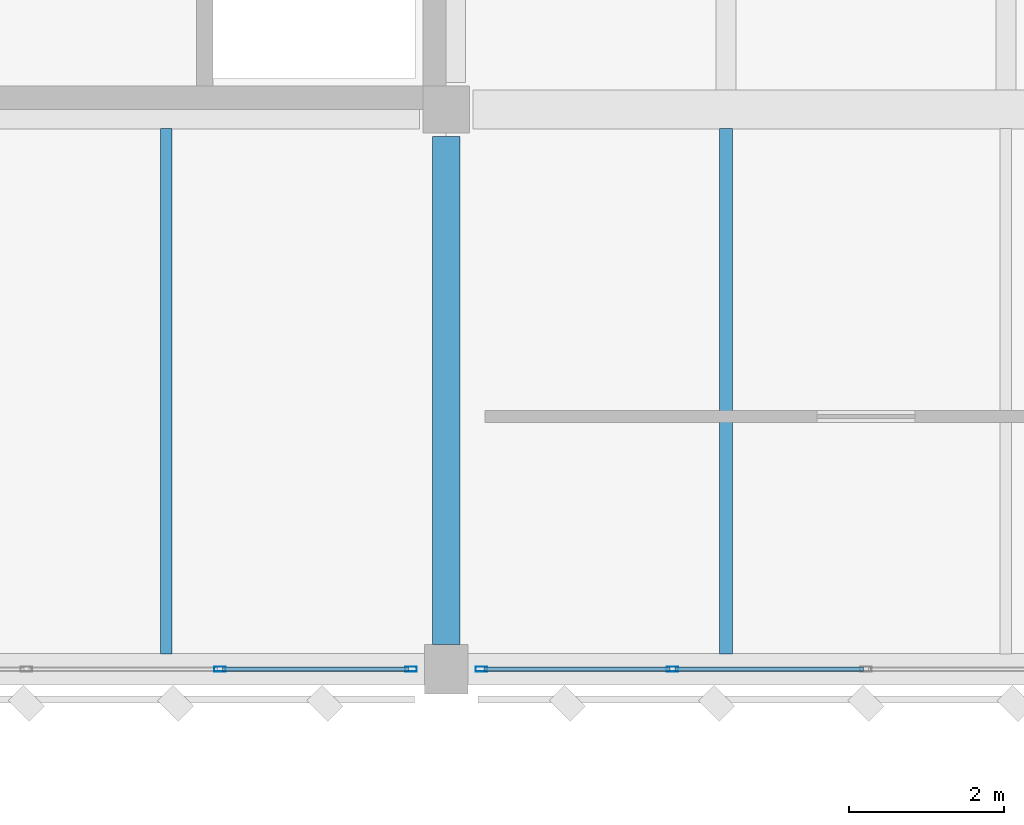
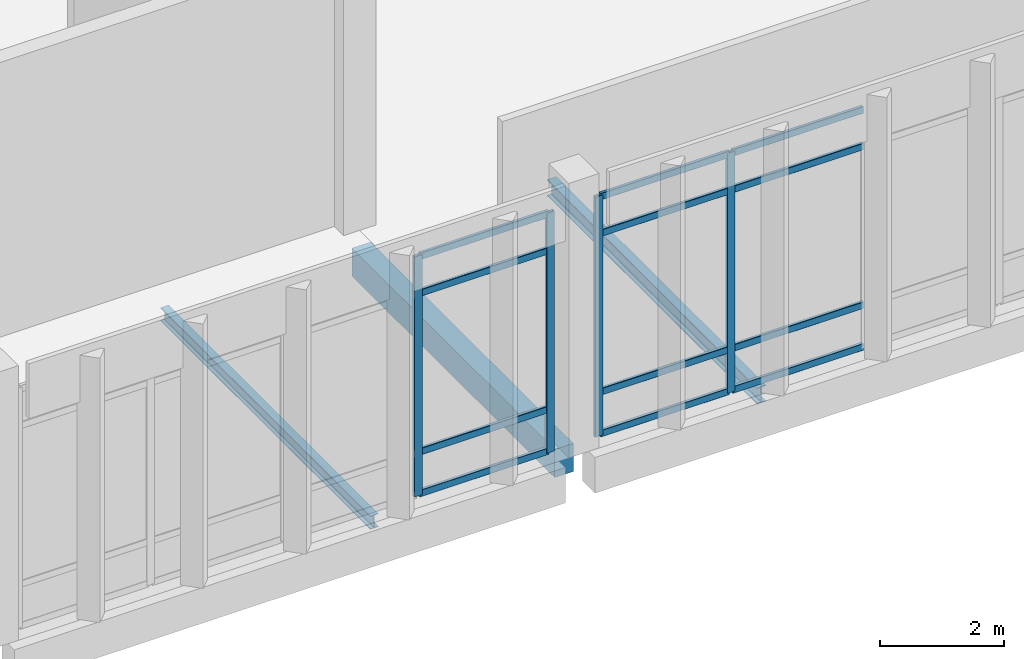
# One storey, part 80 of 180: 16 members, 3 beams, 2 elements without a shape of their own.
"""IFC4 building model written with IfcOpenShell, lengths in metres."""

import ifcopenshell
import ifcopenshell.guid

model = None  # the IFC model being written
_history = None  # IfcOwnerHistory: only IFC2X3 demands one
_inside = {}  # id of a spatial element -> (the spatial element, [elements in it])
_under = {}  # id of a project, library or spatial element -> (it, [spatial elements below it])
_declared = {}  # id of a project -> (the project, [libraries it declares])
_typed = {}  # id of a type object -> (the type object, [elements of that type])
_made_of = {}  # id of a material, layer set ... -> (it, [elements and type objects made of it])


def new_model(schema):
    """Start an empty IFC model of exactly this schema.

    Asked for "IFC4X3", IfcOpenShell would pick the latest addendum, in which some entities
    have other attributes; the version numbers below select the first issue.
    IFC2X3 requires an IfcOwnerHistory on every rooted entity: one is made here for all.
    """
    global model, _history
    if schema == "IFC4X3":
        model = ifcopenshell.file(schema_version=(4, 3, 0, 0))
    else:
        model = ifcopenshell.file(schema=schema)
    _inside.clear()
    _under.clear()
    _declared.clear()
    _typed.clear()
    _made_of.clear()
    _history = None
    if model.schema == "IFC2X3":
        org = make("IfcOrganization", Name="unknown")
        user = make(
            "IfcPersonAndOrganization",
            ThePerson=make("IfcPerson", FamilyName="unknown"),
            TheOrganization=org,
        )
        app = make(
            "IfcApplication",
            ApplicationDeveloper=org,
            Version="unknown",
            ApplicationFullName="unknown",
            ApplicationIdentifier="unknown",
        )
        _history = make(
            "IfcOwnerHistory",
            OwningUser=user,
            OwningApplication=app,
            ChangeAction="ADDED",
            CreationDate=0,
        )
    return model


def make(cls, **values):
    """One entity of the class cls with the attributes given. An attribute that is None is left unset."""
    return model.create_entity(
        cls, **{name: value for name, value in values.items() if value is not None}
    )


def rooted(cls, **values):
    """An entity with a GlobalId (a new one), such as an element, a storey or a relation."""
    return make(cls, GlobalId=ifcopenshell.guid.new(), OwnerHistory=_history, **values)


def si_unit(unit_type, name, prefix=None):
    """IfcSIUnit, for example si_unit("LENGTHUNIT", "METRE", prefix="MILLI")."""
    return make("IfcSIUnit", UnitType=unit_type, Prefix=prefix, Name=name)


def assignment(units):
    """IfcUnitAssignment: the units of a project."""
    return None if units is None else make("IfcUnitAssignment", Units=units)


def point(xyz):
    """IfcCartesianPoint."""
    return None if xyz is None else make("IfcCartesianPoint", Coordinates=xyz)


def direction(xyz):
    """IfcDirection."""
    return None if xyz is None else make("IfcDirection", DirectionRatios=xyz)


def frame(location, z_axis=None, x_axis=None):
    """IfcAxis2Placement3D, a coordinate frame: its origin and axes. An axis left out is left unset."""
    return make(
        "IfcAxis2Placement3D",
        Location=point(location),
        Axis=direction(z_axis),
        RefDirection=direction(x_axis),
    )


def frame_2d(location, x_axis=None):
    """IfcAxis2Placement2D, a coordinate frame in the plane: its origin and x axis."""
    return make(
        "IfcAxis2Placement2D", Location=point(location), RefDirection=direction(x_axis)
    )


def origin():
    """The frame at (0, 0, 0) with its axes left unset."""
    return frame((0.0, 0.0, 0.0))


def origin_2d():
    """The frame at (0, 0) in the plane with its x axis left unset."""
    return frame_2d((0.0, 0.0))


def place(relative_to, where):
    """IfcLocalPlacement: puts the frame where relative to a parent placement (None: the world)."""
    return make(
        "IfcLocalPlacement", PlacementRelTo=relative_to, RelativePlacement=where
    )


def context(
    kind, dimensions, precision=None, world=None, true_north=None, identifier=None
):
    """IfcGeometricRepresentationContext, for example the 3D "Model" context."""
    return make(
        "IfcGeometricRepresentationContext",
        ContextIdentifier=identifier,
        ContextType=kind,
        CoordinateSpaceDimension=dimensions,
        Precision=precision,
        WorldCoordinateSystem=world,
        TrueNorth=true_north,
    )


def subcontext(parent, identifier, kind, view, scale=None):
    """IfcGeometricRepresentationSubContext, for example "Body" below "Model"."""
    return make(
        "IfcGeometricRepresentationSubContext",
        ContextIdentifier=identifier,
        ContextType=kind,
        ParentContext=parent,
        TargetScale=scale,
        TargetView=view,
    )


def project(units=None, contexts=None):
    """IfcProject with its units and contexts."""
    return rooted(
        "IfcProject",
        Name="project",
        RepresentationContexts=contexts,
        UnitsInContext=assignment(units),
    )


def spatial(cls, under=None, at=None, **own):
    """A site, building, storey or space (cls), placed at a placement, below another one or the project."""
    s = rooted(cls, ObjectPlacement=at, **own)
    if under is not None:
        _under.setdefault(under.id(), (under, []))[1].append(s)
    return s


def profile(cls, at=None, kind="AREA", **sizes):
    """A parametric profile (cls). Its sizes go by their IFC names, for example OverallWidth=200.0."""
    return make(cls, ProfileType=kind, Position=at, **sizes)


def rectangle(**sizes):
    """IfcRectangleProfileDef."""
    return profile("IfcRectangleProfileDef", **sizes)


def hollow_rectangle(**sizes):
    """IfcRectangleHollowProfileDef."""
    return profile("IfcRectangleHollowProfileDef", **sizes)


def i_section(**sizes):
    """IfcIShapeProfileDef."""
    return profile("IfcIShapeProfileDef", **sizes)


def extrude(swept, where, along, depth):
    """IfcExtrudedAreaSolid: the profile swept, set in the frame where, extruded along a direction by depth."""
    return make(
        "IfcExtrudedAreaSolid",
        SweptArea=swept,
        Position=where,
        ExtrudedDirection=direction(along),
        Depth=depth,
    )


def shape(context_of_items, identifier, shape_type, items):
    """IfcShapeRepresentation: the items that make up one representation, for example the "Body"."""
    return make(
        "IfcShapeRepresentation",
        ContextOfItems=context_of_items,
        RepresentationIdentifier=identifier,
        RepresentationType=shape_type,
        Items=items,
    )


def material(Name=None, Category=None):
    """IfcMaterial."""
    return make("IfcMaterial", Name=Name, Category=Category)


def material_profile(
    of_material, cross_section, Name=None, Category=None, Priority=None
):
    """IfcMaterialProfile: a cross section and its material."""
    return make(
        "IfcMaterialProfile",
        Name=Name,
        Material=of_material,
        Profile=cross_section,
        Priority=Priority,
        Category=Category,
    )


def profile_set(profiles, Name=None, composite=None):
    """IfcMaterialProfileSet."""
    return make(
        "IfcMaterialProfileSet",
        Name=Name,
        MaterialProfiles=profiles,
        CompositeProfile=composite,
    )


def made_of(thing, what):
    """Note that an element or type object is made of a material, layer set ...; save() writes the relation."""
    if what is not None:
        _made_of.setdefault(what.id(), (what, []))[1].append(thing)
    return thing


def type_object(cls, material=None, **own):
    """A type object (cls), such as IfcWallType, which elements share."""
    return made_of(rooted(cls, **own), material)


def element(
    cls,
    number,
    at=None,
    inside=None,
    cuts=None,
    type_object=None,
    material=None,
    context=None,
    identifier="Body",
    shape_type=None,
    held_by="IfcProductDefinitionShape",
    body=None,
    shapes=None,
    **own,
):
    """One element of the class cls, such as IfcWall. Its Tag is "e" and its number.

    at: its placement. inside: the storey or other place that contains it. cuts: it is an
    opening in that element (IfcRelVoidsElement). A single representation is given by context,
    identifier, shape_type and body (its items); several are given by shapes. held_by: the class
    of the entity that holds the representations. save() writes the other relations.
    """
    e = rooted(cls, Tag="e%d" % number, ObjectPlacement=at, **own)
    if body is not None:
        shapes = [shape(context, identifier, shape_type, body)]
    if shapes is not None:
        e.Representation = make(held_by, Representations=shapes)
    if inside is not None:
        _inside.setdefault(inside.id(), (inside, []))[1].append(e)
    if cuts is not None:
        rooted(
            "IfcRelVoidsElement", RelatingBuildingElement=cuts, RelatedOpeningElement=e
        )
    if type_object is not None:
        _typed.setdefault(type_object.id(), (type_object, []))[1].append(e)
    return made_of(e, material)


def aggregate(whole, parts):
    """IfcRelAggregates: a whole, such as a stair, and the parts it consists of."""
    return rooted("IfcRelAggregates", RelatingObject=whole, RelatedObjects=parts)


def save(model, path):
    """Write the relations noted so far, then the file.

    IfcRelAggregates (storeys below a building ...), IfcRelContainedInSpatialStructure (elements
    in a storey), IfcRelDefinesByType, IfcRelAssociatesMaterial and IfcRelDeclares: one each for
    every whole, place, type object, material and project.
    """
    for whole, parts in _under.values():
        aggregate(whole, parts)
    for where, things in _inside.values():
        rooted(
            "IfcRelContainedInSpatialStructure",
            RelatedElements=things,
            RelatingStructure=where,
        )
    for kind, things in _typed.values():
        rooted("IfcRelDefinesByType", RelatedObjects=things, RelatingType=kind)
    for what, things in _made_of.values():
        rooted("IfcRelAssociatesMaterial", RelatedObjects=things, RelatingMaterial=what)
    for by, libraries in _declared.values():
        rooted("IfcRelDeclares", RelatingContext=by, RelatedDefinitions=libraries)
    model.write(path)


model = new_model("IFC4")

# Units and contexts
model_context = context("Model", 3, precision=1e-05, world=origin(), true_north=direction((0.0, 1.0)))
body_context = subcontext(model_context, "Body", "Model", "MODEL_VIEW")
ifc_project = project(units=[si_unit("LENGTHUNIT", "METRE"), si_unit("AREAUNIT", "SQUARE_METRE"), si_unit("VOLUMEUNIT", "CUBIC_METRE"), si_unit("PLANEANGLEUNIT", "RADIAN"), si_unit("MASSUNIT", "GRAM", prefix="KILO")], contexts=[model_context])

# Site, building, storey
site_placement = place(None, origin())
site = spatial("IfcSite", under=ifc_project, at=site_placement, CompositionType="ELEMENT")
building_placement = place(site_placement, origin())
building = spatial("IfcBuilding", under=site, at=building_placement, Name="Lusvemor Sports Hall", CompositionType="ELEMENT")
storey_placement = place(building_placement, frame((0.0, 0.0, 5.39990234375)))
storey = spatial("IfcBuildingStorey", under=building, at=storey_placement, Name="L01", CompositionType="ELEMENT", Elevation=5.39990234375)

# Beam
ifc_material_1 = material(Name="Concrete C40/50", Category="concrete")
ifc_material_profile_1 = material_profile(ifc_material_1, rectangle(XDim=0.35009765625, YDim=0.550048828125, at=origin_2d()), Name="RC350x550")
ifc_profile_set_1 = profile_set([ifc_material_profile_1], Name="Concrete C40/50")
beam_type_1 = type_object("IfcBeamType", Name="BEAM_RC_550", PredefinedType="BEAM", material=ifc_profile_set_1)
beam_1_placement = place(storey_placement, frame((64.800048828125, 97.51611328125, -0.534912109375), z_axis=(0.0, 1.0, 0.0), x_axis=(-1.0, 0.0, 0.0)))
element("IfcBeam", 1, at=beam_1_placement, inside=storey, type_object=beam_type_1, Name="Beam L01 7:N-P", PredefinedType="BEAM", context=body_context, shape_type="SweptSolid", body=[
    extrude(rectangle(XDim=0.35009765625, YDim=0.550048828125, at=origin_2d()), origin(), (0.0, 0.0, 1.0), 6.537841796875),
])

# Curtain wall, members
ifc_material_2 = material(Name="Thermally broken bronze-anodized aluminium", Category="aluminium")
curtain_wall_type = type_object("IfcCurtainWallType", Name="CW_WING_B", PredefinedType="NOTDEFINED", material=ifc_material_2)
curtain_wall_1_placement = place(storey_placement, origin())
curtain_wall_1 = element("IfcCurtainWall", 2, at=curtain_wall_1_placement, inside=storey, type_object=curtain_wall_type, Name="Curtain Wall CW-L01-S-3-3", PredefinedType="NOTDEFINED")
ifc_material_3 = material(Name="Thermally broken bronze-anodized aluminium", Category="aluminium")
ifc_material_profile_2 = material_profile(ifc_material_3, hollow_rectangle(XDim=0.06494140625, YDim=0.14990234375, WallThickness=0.00390625, InnerFilletRadius=0.00390625, OuterFilletRadius=0.008056640625, at=origin_2d()), Name="CWMUL150x65x4")
ifc_profile_set_2 = profile_set([ifc_material_profile_2], Name="Thermally broken bronze-anodized aluminium")
member_type_1 = type_object("IfcMemberType", Name="CW_MUL_B", PredefinedType="MULLION", material=ifc_profile_set_2)
member_1_placement = place(storey_placement, frame((64.347412109375, 97.199951171875, 0.0), z_axis=(0.0, 0.0, 1.0), x_axis=(0.0, -1.0, 0.0)))
member_1 = element("IfcMember", 3, at=member_1_placement, type_object=member_type_1, Name="CW02 mullion 1", PredefinedType="MULLION", context=body_context, shape_type="SweptSolid", body=[
    extrude(hollow_rectangle(XDim=0.06494140625, YDim=0.14990234375, WallThickness=0.00390625, InnerFilletRadius=0.00390625, OuterFilletRadius=0.008056640625, at=origin_2d()), origin(), (0.0, 0.0, 1.0), 4.72021484375),
])
member_2_placement = place(storey_placement, frame((61.889892578125, 97.199951171875, 0.0), z_axis=(0.0, 0.0, 1.0), x_axis=(0.0, -1.0, 0.0)))
member_2 = element("IfcMember", 4, at=member_2_placement, type_object=member_type_1, Name="CW02 mullion 2", PredefinedType="MULLION", context=body_context, shape_type="SweptSolid", body=[
    extrude(hollow_rectangle(XDim=0.06494140625, YDim=0.14990234375, WallThickness=0.00390625, InnerFilletRadius=0.00390625, OuterFilletRadius=0.008056640625, at=origin_2d()), origin(), (0.0, 0.0, 1.0), 4.72021484375),
])

curtain_wall_2_placement = place(storey_placement, origin())
curtain_wall_2 = element("IfcCurtainWall", 5, at=curtain_wall_2_placement, inside=storey, type_object=curtain_wall_type, Name="Curtain Wall CW-L01-S-3-4", PredefinedType="NOTDEFINED")
member_3_placement = place(storey_placement, frame((67.7099609375, 97.199951171875, 0.0), z_axis=(0.0, 0.0, 1.0), x_axis=(0.0, -1.0, 0.0)))
member_3 = element("IfcMember", 6, at=member_3_placement, type_object=member_type_1, Name="CW02 mullion 4", PredefinedType="MULLION", context=body_context, shape_type="SweptSolid", body=[
    extrude(hollow_rectangle(XDim=0.06494140625, YDim=0.14990234375, WallThickness=0.00390625, InnerFilletRadius=0.00390625, OuterFilletRadius=0.008056640625, at=origin_2d()), origin(), (0.0, 0.0, 1.0), 4.72021484375),
])
member_4_placement = place(storey_placement, frame((65.25244140625, 97.199951171875, 0.0), z_axis=(0.0, 0.0, 1.0), x_axis=(0.0, -1.0, 0.0)))
member_4 = element("IfcMember", 7, at=member_4_placement, type_object=member_type_1, Name="CW02 mullion 5", PredefinedType="MULLION", context=body_context, shape_type="SweptSolid", body=[
    extrude(hollow_rectangle(XDim=0.06494140625, YDim=0.14990234375, WallThickness=0.00390625, InnerFilletRadius=0.00390625, OuterFilletRadius=0.008056640625, at=origin_2d()), origin(), (0.0, 0.0, 1.0), 4.72021484375),
])

# Member
ifc_material_4 = material(Name="Thermally broken bronze-anodized aluminium", Category="aluminium")
ifc_material_profile_3 = material_profile(ifc_material_4, hollow_rectangle(XDim=0.06005859375, YDim=0.135009765625, WallThickness=0.00390625, InnerFilletRadius=0.00390625, OuterFilletRadius=0.008056640625, at=origin_2d()), Name="CWTRN135x60x4")
ifc_profile_set_3 = profile_set([ifc_material_profile_3], Name="Thermally broken bronze-anodized aluminium")
member_type_2 = type_object("IfcMemberType", Name="CW_TRN_B", PredefinedType="USERDEFINED", material=ifc_profile_set_3)
member_5_placement = place(storey_placement, frame((64.31494140625, 97.199951171875, 0.030029296875), z_axis=(-1.0, 0.0, 0.0), x_axis=(0.0, -1.0, 0.0)))
member_5 = element("IfcMember", 8, at=member_5_placement, type_object=member_type_2, Name="CW02 transom 1.1", ObjectType="TRANSOM", PredefinedType="USERDEFINED", context=body_context, shape_type="SweptSolid", body=[
    extrude(hollow_rectangle(XDim=0.06005859375, YDim=0.135009765625, WallThickness=0.00390625, InnerFilletRadius=0.00390625, OuterFilletRadius=0.008056640625, at=origin_2d()), origin(), (0.0, 0.0, 1.0), 2.392333984375),
])

member_6_placement = place(storey_placement, frame((64.31494140625, 97.199951171875, 0.85009765625), z_axis=(-1.0, 0.0, 0.0), x_axis=(0.0, -1.0, 0.0)))
member_6 = element("IfcMember", 9, at=member_6_placement, type_object=member_type_2, Name="CW02 transom 1.2", ObjectType="TRANSOM", PredefinedType="USERDEFINED", context=body_context, shape_type="SweptSolid", body=[
    extrude(hollow_rectangle(XDim=0.06005859375, YDim=0.135009765625, WallThickness=0.00390625, InnerFilletRadius=0.00390625, OuterFilletRadius=0.008056640625, at=origin_2d()), origin(), (0.0, 0.0, 1.0), 2.392333984375),
])

member_7_placement = place(storey_placement, frame((64.31494140625, 97.199951171875, 3.97021484375), z_axis=(-1.0, 0.0, 0.0), x_axis=(0.0, -1.0, 0.0)))
member_7 = element("IfcMember", 10, at=member_7_placement, type_object=member_type_2, Name="CW02 transom 1.3", ObjectType="TRANSOM", PredefinedType="USERDEFINED", context=body_context, shape_type="SweptSolid", body=[
    extrude(hollow_rectangle(XDim=0.06005859375, YDim=0.135009765625, WallThickness=0.00390625, InnerFilletRadius=0.00390625, OuterFilletRadius=0.008056640625, at=origin_2d()), origin(), (0.0, 0.0, 1.0), 2.392333984375),
])

member_8_placement = place(storey_placement, frame((64.31494140625, 97.199951171875, 4.690185546875), z_axis=(-1.0, 0.0, 0.0), x_axis=(0.0, -1.0, 0.0)))
member_8 = element("IfcMember", 11, at=member_8_placement, type_object=member_type_2, Name="CW02 transom 1.4", ObjectType="TRANSOM", PredefinedType="USERDEFINED", context=body_context, shape_type="SweptSolid", body=[
    extrude(hollow_rectangle(XDim=0.06005859375, YDim=0.135009765625, WallThickness=0.00390625, InnerFilletRadius=0.00390625, OuterFilletRadius=0.008056640625, at=origin_2d()), origin(), (0.0, 0.0, 1.0), 2.392333984375),
])

aggregate(curtain_wall_1, [member_1, member_2, member_5, member_6, member_7, member_8])

member_9_placement = place(storey_placement, frame((70.16748046875, 97.199951171875, 0.030029296875), z_axis=(-1.0, 0.0, 0.0), x_axis=(0.0, -1.0, 0.0)))
member_9 = element("IfcMember", 12, at=member_9_placement, type_object=member_type_2, Name="CW02 transom 3.1", ObjectType="TRANSOM", PredefinedType="USERDEFINED", context=body_context, shape_type="SweptSolid", body=[
    extrude(hollow_rectangle(XDim=0.06005859375, YDim=0.135009765625, WallThickness=0.00390625, InnerFilletRadius=0.00390625, OuterFilletRadius=0.008056640625, at=origin_2d()), origin(), (0.0, 0.0, 1.0), 2.425048828125),
])

member_10_placement = place(storey_placement, frame((70.16748046875, 97.199951171875, 0.85009765625), z_axis=(-1.0, 0.0, 0.0), x_axis=(0.0, -1.0, 0.0)))
member_10 = element("IfcMember", 13, at=member_10_placement, type_object=member_type_2, Name="CW02 transom 3.2", ObjectType="TRANSOM", PredefinedType="USERDEFINED", context=body_context, shape_type="SweptSolid", body=[
    extrude(hollow_rectangle(XDim=0.06005859375, YDim=0.135009765625, WallThickness=0.00390625, InnerFilletRadius=0.00390625, OuterFilletRadius=0.008056640625, at=origin_2d()), origin(), (0.0, 0.0, 1.0), 2.425048828125),
])

member_11_placement = place(storey_placement, frame((70.16748046875, 97.199951171875, 3.97021484375), z_axis=(-1.0, 0.0, 0.0), x_axis=(0.0, -1.0, 0.0)))
member_11 = element("IfcMember", 14, at=member_11_placement, type_object=member_type_2, Name="CW02 transom 3.3", ObjectType="TRANSOM", PredefinedType="USERDEFINED", context=body_context, shape_type="SweptSolid", body=[
    extrude(hollow_rectangle(XDim=0.06005859375, YDim=0.135009765625, WallThickness=0.00390625, InnerFilletRadius=0.00390625, OuterFilletRadius=0.008056640625, at=origin_2d()), origin(), (0.0, 0.0, 1.0), 2.425048828125),
])

member_12_placement = place(storey_placement, frame((70.16748046875, 97.199951171875, 4.690185546875), z_axis=(-1.0, 0.0, 0.0), x_axis=(0.0, -1.0, 0.0)))
member_12 = element("IfcMember", 15, at=member_12_placement, type_object=member_type_2, Name="CW02 transom 3.4", ObjectType="TRANSOM", PredefinedType="USERDEFINED", context=body_context, shape_type="SweptSolid", body=[
    extrude(hollow_rectangle(XDim=0.06005859375, YDim=0.135009765625, WallThickness=0.00390625, InnerFilletRadius=0.00390625, OuterFilletRadius=0.008056640625, at=origin_2d()), origin(), (0.0, 0.0, 1.0), 2.425048828125),
])

member_13_placement = place(storey_placement, frame((67.677490234375, 97.199951171875, 0.030029296875), z_axis=(-1.0, 0.0, 0.0), x_axis=(0.0, -1.0, 0.0)))
member_13 = element("IfcMember", 16, at=member_13_placement, type_object=member_type_2, Name="CW02 transom 4.1", ObjectType="TRANSOM", PredefinedType="USERDEFINED", context=body_context, shape_type="SweptSolid", body=[
    extrude(hollow_rectangle(XDim=0.06005859375, YDim=0.135009765625, WallThickness=0.00390625, InnerFilletRadius=0.00390625, OuterFilletRadius=0.008056640625, at=origin_2d()), origin(), (0.0, 0.0, 1.0), 2.392578125),
])

member_14_placement = place(storey_placement, frame((67.677490234375, 97.199951171875, 0.85009765625), z_axis=(-1.0, 0.0, 0.0), x_axis=(0.0, -1.0, 0.0)))
member_14 = element("IfcMember", 17, at=member_14_placement, type_object=member_type_2, Name="CW02 transom 4.2", ObjectType="TRANSOM", PredefinedType="USERDEFINED", context=body_context, shape_type="SweptSolid", body=[
    extrude(hollow_rectangle(XDim=0.06005859375, YDim=0.135009765625, WallThickness=0.00390625, InnerFilletRadius=0.00390625, OuterFilletRadius=0.008056640625, at=origin_2d()), origin(), (0.0, 0.0, 1.0), 2.392578125),
])

member_15_placement = place(storey_placement, frame((67.677490234375, 97.199951171875, 3.97021484375), z_axis=(-1.0, 0.0, 0.0), x_axis=(0.0, -1.0, 0.0)))
member_15 = element("IfcMember", 18, at=member_15_placement, type_object=member_type_2, Name="CW02 transom 4.3", ObjectType="TRANSOM", PredefinedType="USERDEFINED", context=body_context, shape_type="SweptSolid", body=[
    extrude(hollow_rectangle(XDim=0.06005859375, YDim=0.135009765625, WallThickness=0.00390625, InnerFilletRadius=0.00390625, OuterFilletRadius=0.008056640625, at=origin_2d()), origin(), (0.0, 0.0, 1.0), 2.392578125),
])

member_16_placement = place(storey_placement, frame((67.677490234375, 97.199951171875, 4.690185546875), z_axis=(-1.0, 0.0, 0.0), x_axis=(0.0, -1.0, 0.0)))
member_16 = element("IfcMember", 19, at=member_16_placement, type_object=member_type_2, Name="CW02 transom 4.4", ObjectType="TRANSOM", PredefinedType="USERDEFINED", context=body_context, shape_type="SweptSolid", body=[
    extrude(hollow_rectangle(XDim=0.06005859375, YDim=0.135009765625, WallThickness=0.00390625, InnerFilletRadius=0.00390625, OuterFilletRadius=0.008056640625, at=origin_2d()), origin(), (0.0, 0.0, 1.0), 2.392578125),
])

aggregate(curtain_wall_2, [member_3, member_4, member_9, member_10, member_11, member_12, member_13, member_14, member_15, member_16])

# Beams
ifc_material_5 = material(Name="Steel S355", Category="steel")
ifc_material_profile_4 = material_profile(ifc_material_5, i_section(OverallWidth=0.14794921875, OverallDepth=0.26611328125, WebThickness=0.007568359375, FlangeThickness=0.012939453125, FilletRadius=0.012939453125, at=origin_2d()), Name="W250x44.8")
ifc_profile_set_4 = profile_set([ifc_material_profile_4], Name="Steel S355")
beam_type_2 = type_object("IfcBeamType", Name="JOIST_ST_250M", PredefinedType="JOIST", material=ifc_profile_set_4)
beam_2_placement = place(storey_placement, frame((61.199951171875, 97.39599609375, -0.39697265625), z_axis=(0.0, 1.0, 0.0), x_axis=(-1.0, 0.0, 0.0)))
element("IfcBeam", 20, at=beam_2_placement, inside=storey, type_object=beam_type_2, Name="Secondary Joist L01 6-7/N-P #2", PredefinedType="JOIST", context=body_context, shape_type="SweptSolid", body=[
    extrude(i_section(OverallWidth=0.14794921875, OverallDepth=0.26611328125, WebThickness=0.007568359375, FlangeThickness=0.012939453125, FilletRadius=0.012939453125, at=origin_2d()), origin(), (0.0, 0.0, 1.0), 6.758056640625),
])
ifc_material_6 = material(Name="Steel S355", Category="steel")
ifc_material_profile_5 = material_profile(ifc_material_6, i_section(OverallWidth=0.1669921875, OverallDepth=0.31689453125, WebThickness=0.007568359375, FlangeThickness=0.01318359375, FilletRadius=0.014892578125, at=origin_2d()), Name="W310x52.0")
ifc_profile_set_5 = profile_set([ifc_material_profile_5], Name="Steel S355")
beam_type_3 = type_object("IfcBeamType", Name="JOIST_ST_310M", PredefinedType="JOIST", material=ifc_profile_set_5)
beam_3_placement = place(storey_placement, frame((68.39990234375, 97.39599609375, -0.42236328125), z_axis=(0.0, 1.0, 0.0), x_axis=(-1.0, 0.0, 0.0)))
element("IfcBeam", 21, at=beam_3_placement, inside=storey, type_object=beam_type_3, Name="Secondary Joist L01 7-8/N-P #1", PredefinedType="JOIST", context=body_context, shape_type="SweptSolid", body=[
    extrude(i_section(OverallWidth=0.1669921875, OverallDepth=0.31689453125, WebThickness=0.007568359375, FlangeThickness=0.01318359375, FilletRadius=0.014892578125, at=origin_2d()), origin(), (0.0, 0.0, 1.0), 6.758056640625),
])

save(model, "model.ifc")
